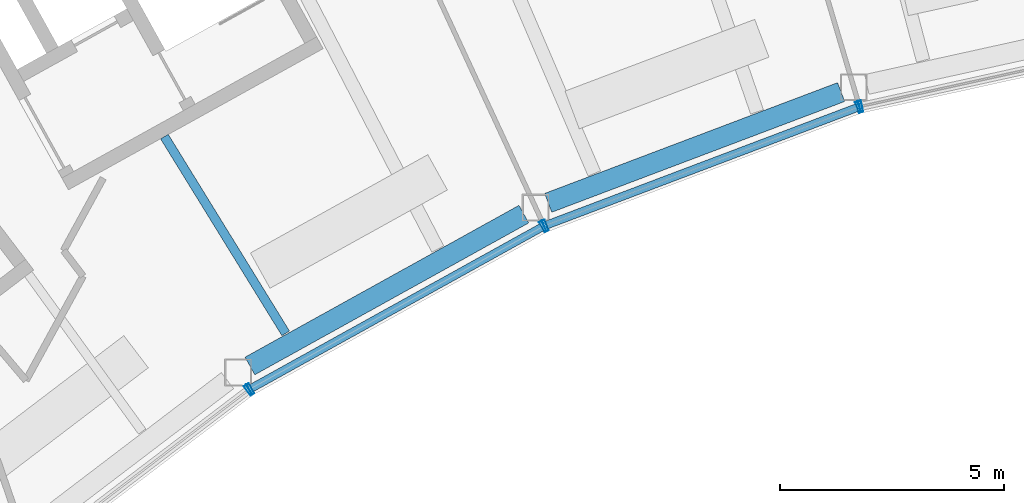
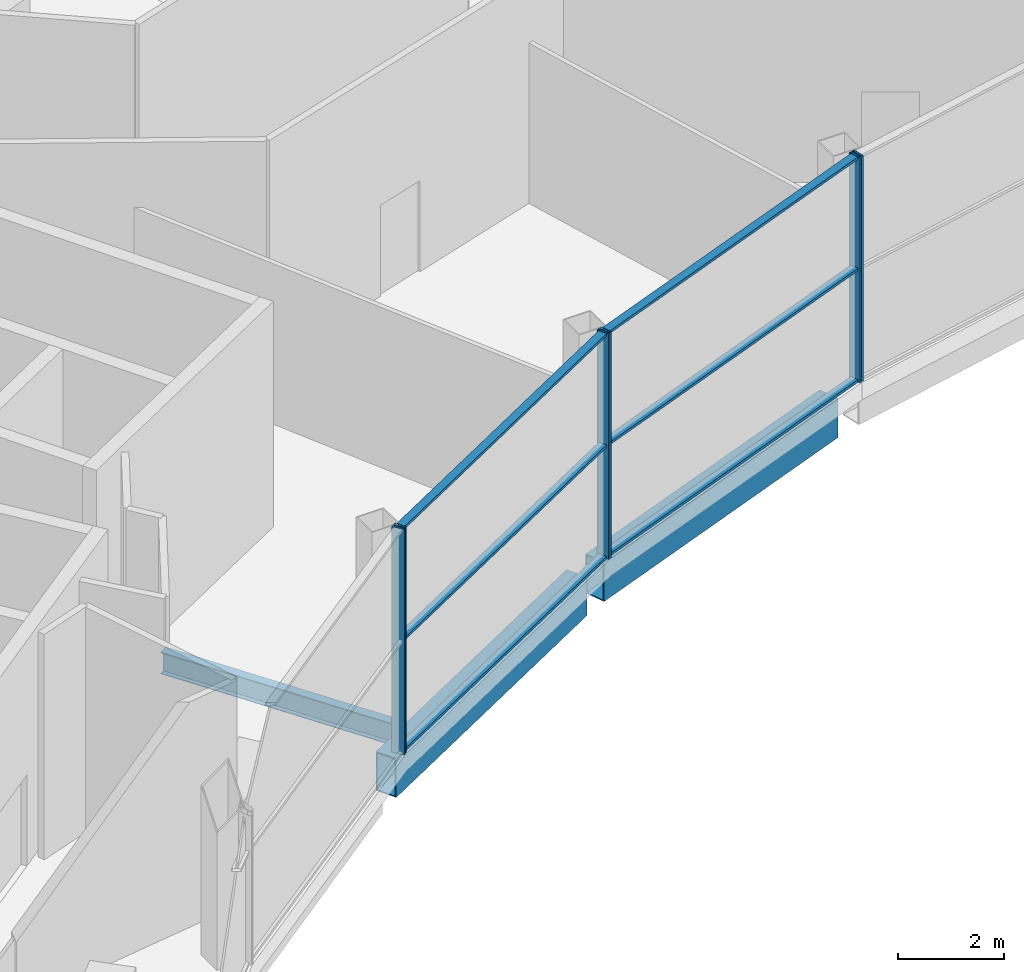
# One storey, part 11 of 44: 12 members, 3 beams, 4 elements without a shape of their own.
"""IFC4 building model written with IfcOpenShell, lengths in metres."""

from ifc_helpers import new_model, si_unit, direction, frame, origin, origin_2d, place, context, subcontext, project, spatial, hollow_rectangle, i_section, extrude, material, layer, layer_set, material_profile, profile_set, type_object, element, aggregate, save


model = new_model("IFC4")

# Units and contexts
model_context = context("Model", 3, precision=1e-05, world=origin(), true_north=direction((0.0, 1.0)))
body_context = subcontext(model_context, "Body", "Model", "MODEL_VIEW")
ifc_project = project(units=[si_unit("LENGTHUNIT", "METRE"), si_unit("AREAUNIT", "SQUARE_METRE"), si_unit("VOLUMEUNIT", "CUBIC_METRE"), si_unit("PLANEANGLEUNIT", "RADIAN"), si_unit("MASSUNIT", "GRAM", prefix="KILO")], contexts=[model_context])

# Site, building, storey
site_placement = place(None, origin())
site = spatial("IfcSite", under=ifc_project, at=site_placement, CompositionType="ELEMENT")
building_placement = place(site_placement, origin())
building = spatial("IfcBuilding", under=site, at=building_placement, Name="Tuul Gate Civic Tower", CompositionType="ELEMENT")
storey_placement = place(building_placement, frame((0.0, 0.0, 354.60009765625)))
storey = spatial("IfcBuildingStorey", under=building, at=storey_placement, Name="Observation level 2", CompositionType="ELEMENT", Elevation=354.60009765625)

# Curtain wall, member
ifc_material_1 = material(Name="Stainless steel", Category="steel")
ifc_layer = layer(ifc_material_1, 0.199951171875)
ifc_layer_set = layer_set([ifc_layer], Name="Stainless steel")
curtain_wall_type = type_object("IfcCurtainWallType", Name="Curtain wall CW4", PredefinedType="NOTDEFINED", material=ifc_layer_set)
curtain_wall_1_placement = place(storey_placement, origin())
curtain_wall_1 = element("IfcCurtainWall", 1, at=curtain_wall_1_placement, inside=storey, type_object=curtain_wall_type, Name="Curtain wall CW4", PredefinedType="NOTDEFINED")
ifc_material_2 = material(Name="Stainless steel", Category="steel")
ifc_material_profile_1 = material_profile(ifc_material_2, hollow_rectangle(XDim=0.260009765625, YDim=0.06005859375, WallThickness=0.006103515625, at=origin_2d()), Name="CW4 mullion")
ifc_profile_set_1 = profile_set([ifc_material_profile_1], Name="Stainless steel")
member_type_1 = type_object("IfcMemberType", Name="CW4 mullion", PredefinedType="MULLION", material=ifc_profile_set_1)
member_1_placement = place(storey_placement, frame((-26.311767578125, -16.47216796875, 0.0), z_axis=(0.0, 0.0, 1.0), x_axis=(-0.605851052715, 0.795578092914, 0.0)))
member_1 = element("IfcMember", 2, at=member_1_placement, type_object=member_type_1, Name="Mullion", PredefinedType="MULLION", context=body_context, shape_type="SweptSolid", body=[
    extrude(hollow_rectangle(XDim=0.260009765625, YDim=0.06005859375, WallThickness=0.006103515625, at=origin_2d()), origin(), (0.0, 0.0, 1.0), 5.199951171875),
])
aggregate(curtain_wall_1, [member_1])

# Curtain wall, members
curtain_wall_2_placement = place(storey_placement, origin())
curtain_wall_2 = element("IfcCurtainWall", 3, at=curtain_wall_2_placement, inside=storey, type_object=curtain_wall_type, Name="Curtain wall CW4", PredefinedType="NOTDEFINED")
member_2_placement = place(storey_placement, frame((-26.26171875, -16.439453125, 0.0), z_axis=(0.0, 0.0, 1.0), x_axis=(-0.48480794476, 0.874620635875, 0.0)))
member_2 = element("IfcMember", 4, at=member_2_placement, type_object=member_type_1, Name="Mullion", PredefinedType="MULLION", context=body_context, shape_type="SweptSolid", body=[
    extrude(hollow_rectangle(XDim=0.260009765625, YDim=0.06005859375, WallThickness=0.006103515625, at=origin_2d()), origin(), (0.0, 0.0, 1.0), 5.199951171875),
])
member_3_placement = place(storey_placement, frame((-19.731201171875, -12.819580078125, 0.0), z_axis=(0.0, 0.0, 1.0), x_axis=(-0.48480794476, 0.874620635875, 0.0)))
member_3 = element("IfcMember", 5, at=member_3_placement, type_object=member_type_1, Name="Mullion", PredefinedType="MULLION", context=body_context, shape_type="SweptSolid", body=[
    extrude(hollow_rectangle(XDim=0.260009765625, YDim=0.06005859375, WallThickness=0.006103515625, at=origin_2d()), origin(), (0.0, 0.0, 1.0), 5.199951171875),
])

curtain_wall_3_placement = place(storey_placement, origin())
curtain_wall_3 = element("IfcCurtainWall", 6, at=curtain_wall_3_placement, inside=storey, type_object=curtain_wall_type, Name="Curtain wall CW4", PredefinedType="NOTDEFINED")
member_4_placement = place(storey_placement, frame((-19.677001953125, -12.79443359375, 0.0), z_axis=(0.0, 0.0, 1.0), x_axis=(-0.353684769481, 0.935364679597, 0.0)))
member_4 = element("IfcMember", 7, at=member_4_placement, type_object=member_type_1, Name="Mullion", PredefinedType="MULLION", context=body_context, shape_type="SweptSolid", body=[
    extrude(hollow_rectangle(XDim=0.260009765625, YDim=0.06005859375, WallThickness=0.006103515625, at=origin_2d()), origin(), (0.0, 0.0, 1.0), 5.199951171875),
])
member_5_placement = place(storey_placement, frame((-12.693115234375, -10.153564453125, 0.0), z_axis=(0.0, 0.0, 1.0), x_axis=(-0.353684769481, 0.935364679597, 0.0)))
member_5 = element("IfcMember", 8, at=member_5_placement, type_object=member_type_1, Name="Mullion", PredefinedType="MULLION", context=body_context, shape_type="SweptSolid", body=[
    extrude(hollow_rectangle(XDim=0.260009765625, YDim=0.06005859375, WallThickness=0.006103515625, at=origin_2d()), origin(), (0.0, 0.0, 1.0), 5.199951171875),
])

# Curtain wall, member
curtain_wall_4_placement = place(storey_placement, origin())
curtain_wall_4 = element("IfcCurtainWall", 9, at=curtain_wall_4_placement, inside=storey, type_object=curtain_wall_type, Name="Curtain wall CW4", PredefinedType="NOTDEFINED")
member_6_placement = place(storey_placement, frame((-12.6357421875, -10.136474609375, 0.0), z_axis=(0.0, 0.0, 1.0), x_axis=(-0.215241961183, 0.976560749849, 0.0)))
member_6 = element("IfcMember", 10, at=member_6_placement, type_object=member_type_1, Name="Mullion", PredefinedType="MULLION", context=body_context, shape_type="SweptSolid", body=[
    extrude(hollow_rectangle(XDim=0.260009765625, YDim=0.06005859375, WallThickness=0.006103515625, at=origin_2d()), origin(), (0.0, 0.0, 1.0), 5.199951171875),
])
aggregate(curtain_wall_4, [member_6])

# Member
ifc_material_3 = material(Name="Stainless steel", Category="steel")
ifc_material_profile_2 = material_profile(ifc_material_3, hollow_rectangle(XDim=0.179931640625, YDim=0.06005859375, WallThickness=0.006103515625, at=origin_2d()), Name="CW4 transom")
ifc_profile_set_2 = profile_set([ifc_material_profile_2], Name="Stainless steel")
member_type_2 = type_object("IfcMemberType", Name="CW4 transom", PredefinedType="USERDEFINED", material=ifc_profile_set_2)
member_7_placement = place(storey_placement, frame((-26.235595703125, -16.4248046875, 0.02978515625), z_axis=(0.874620215492, 0.484808703153, 0.0), x_axis=(-0.484808703153, 0.874620215492, 0.0)))
member_7 = element("IfcMember", 11, at=member_7_placement, type_object=member_type_2, Name="Transom", ObjectType="TRANSOM", PredefinedType="USERDEFINED", context=body_context, shape_type="SweptSolid", body=[
    extrude(hollow_rectangle(XDim=0.179931640625, YDim=0.06005859375, WallThickness=0.006103515625, at=origin_2d()), origin(), (0.0, 0.0, 1.0), 7.40673828125),
])

member_8_placement = place(storey_placement, frame((-26.235595703125, -16.4248046875, 2.599853515625), z_axis=(0.874620215492, 0.484808703153, 0.0), x_axis=(-0.484808703153, 0.874620215492, 0.0)))
member_8 = element("IfcMember", 12, at=member_8_placement, type_object=member_type_2, Name="Transom", ObjectType="TRANSOM", PredefinedType="USERDEFINED", context=body_context, shape_type="SweptSolid", body=[
    extrude(hollow_rectangle(XDim=0.179931640625, YDim=0.06005859375, WallThickness=0.006103515625, at=origin_2d()), origin(), (0.0, 0.0, 1.0), 7.40673828125),
])

member_9_placement = place(storey_placement, frame((-26.235595703125, -16.4248046875, 5.169921875), z_axis=(0.874620215492, 0.484808703153, 0.0), x_axis=(-0.484808703153, 0.874620215492, 0.0)))
member_9 = element("IfcMember", 13, at=member_9_placement, type_object=member_type_2, Name="Transom", ObjectType="TRANSOM", PredefinedType="USERDEFINED", context=body_context, shape_type="SweptSolid", body=[
    extrude(hollow_rectangle(XDim=0.179931640625, YDim=0.06005859375, WallThickness=0.006103515625, at=origin_2d()), origin(), (0.0, 0.0, 1.0), 7.40673828125),
])

aggregate(curtain_wall_2, [member_2, member_3, member_7, member_8, member_9])

member_10_placement = place(storey_placement, frame((-19.64892578125, -12.78369140625, 0.02978515625), z_axis=(0.935372040354, 0.353665302402, 0.0), x_axis=(-0.353665302402, 0.935372040354, 0.0)))
member_10 = element("IfcMember", 14, at=member_10_placement, type_object=member_type_2, Name="Transom", ObjectType="TRANSOM", PredefinedType="USERDEFINED", context=body_context, shape_type="SweptSolid", body=[
    extrude(hollow_rectangle(XDim=0.179931640625, YDim=0.06005859375, WallThickness=0.006103515625, at=origin_2d()), origin(), (0.0, 0.0, 1.0), 7.406494140625),
])

member_11_placement = place(storey_placement, frame((-19.64892578125, -12.78369140625, 2.599853515625), z_axis=(0.935372040354, 0.353665302402, 0.0), x_axis=(-0.353665302402, 0.935372040354, 0.0)))
member_11 = element("IfcMember", 15, at=member_11_placement, type_object=member_type_2, Name="Transom", ObjectType="TRANSOM", PredefinedType="USERDEFINED", context=body_context, shape_type="SweptSolid", body=[
    extrude(hollow_rectangle(XDim=0.179931640625, YDim=0.06005859375, WallThickness=0.006103515625, at=origin_2d()), origin(), (0.0, 0.0, 1.0), 7.406494140625),
])

member_12_placement = place(storey_placement, frame((-19.64892578125, -12.78369140625, 5.169921875), z_axis=(0.935372040354, 0.353665302402, 0.0), x_axis=(-0.353665302402, 0.935372040354, 0.0)))
member_12 = element("IfcMember", 16, at=member_12_placement, type_object=member_type_2, Name="Transom", ObjectType="TRANSOM", PredefinedType="USERDEFINED", context=body_context, shape_type="SweptSolid", body=[
    extrude(hollow_rectangle(XDim=0.179931640625, YDim=0.06005859375, WallThickness=0.006103515625, at=origin_2d()), origin(), (0.0, 0.0, 1.0), 7.406494140625),
])

aggregate(curtain_wall_3, [member_4, member_5, member_10, member_11, member_12])

# Beams
ifc_material_4 = material(Name="Steel S355", Category="steel")
ifc_material_profile_3 = material_profile(ifc_material_4, i_section(OverallWidth=0.199951171875, OverallDepth=0.5, WebThickness=0.010009765625, FlangeThickness=0.01611328125, at=origin_2d()), Name="PG500x200x10x16")
ifc_profile_set_3 = profile_set([ifc_material_profile_3], Name="Steel S355")
beam_type_1 = type_object("IfcBeamType", Name="STR-FLOOR BEAM-PG500x200x10x16", PredefinedType="BEAM", material=ifc_profile_set_3)
beam_1_placement = place(storey_placement, frame((-25.47412109375, -15.2021484375, -0.650146484375), z_axis=(-0.524854989159, 0.851191659002, 0.0), x_axis=(-0.851191659002, -0.524854989159, 0.0)))
element("IfcBeam", 17, at=beam_1_placement, inside=storey, type_object=beam_type_1, Name="Floor beam", PredefinedType="BEAM", context=body_context, shape_type="SweptSolid", body=[
    extrude(i_section(OverallWidth=0.199951171875, OverallDepth=0.5, WebThickness=0.010009765625, FlangeThickness=0.01611328125, at=origin_2d()), origin(), (0.0, 0.0, 1.0), 5.1591796875),
])
ifc_material_5 = material(Name="Steel S355", Category="steel")
ifc_material_profile_4 = material_profile(ifc_material_5, hollow_rectangle(XDim=0.449951171875, YDim=0.89990234375, WallThickness=0.02490234375, at=origin_2d()), Name="BOX900x450x25")
ifc_profile_set_4 = profile_set([ifc_material_profile_4], Name="Steel S355")
beam_type_2 = type_object("IfcBeamType", Name="STR-SPANDREL BEAM-BOX900x450x25", PredefinedType="BEAM", material=ifc_profile_set_4)
beam_2_placement = place(storey_placement, frame((-26.272705078125, -15.9306640625, -0.85009765625), z_axis=(0.874654250386, 0.484747297343, 0.0), x_axis=(-0.484747297343, 0.874654250386, 0.0)))
element("IfcBeam", 18, at=beam_2_placement, inside=storey, type_object=beam_type_2, Name="Spandrel beam", PredefinedType="BEAM", context=body_context, shape_type="SweptSolid", body=[
    extrude(hollow_rectangle(XDim=0.449951171875, YDim=0.89990234375, WallThickness=0.02490234375, at=origin_2d()), origin(), (0.0, 0.0, 1.0), 6.99169921875),
])
beam_3_placement = place(storey_placement, frame((-19.614501953125, -12.289794921875, -0.85009765625), z_axis=(0.93532810698, 0.35378147534, 0.0), x_axis=(-0.35378147534, 0.93532810698, 0.0)))
element("IfcBeam", 19, at=beam_3_placement, inside=storey, type_object=beam_type_2, Name="Spandrel beam", PredefinedType="BEAM", context=body_context, shape_type="SweptSolid", body=[
    extrude(hollow_rectangle(XDim=0.449951171875, YDim=0.89990234375, WallThickness=0.02490234375, at=origin_2d()), origin(), (0.0, 0.0, 1.0), 6.991943359375),
])

save(model, "model.ifc")
